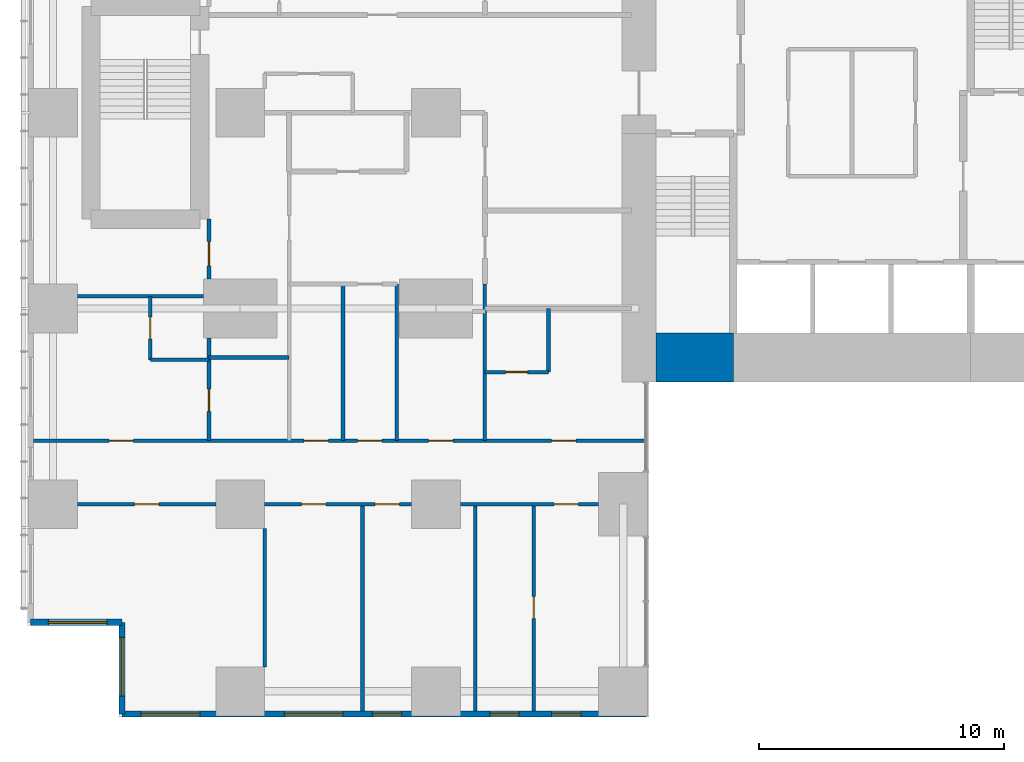
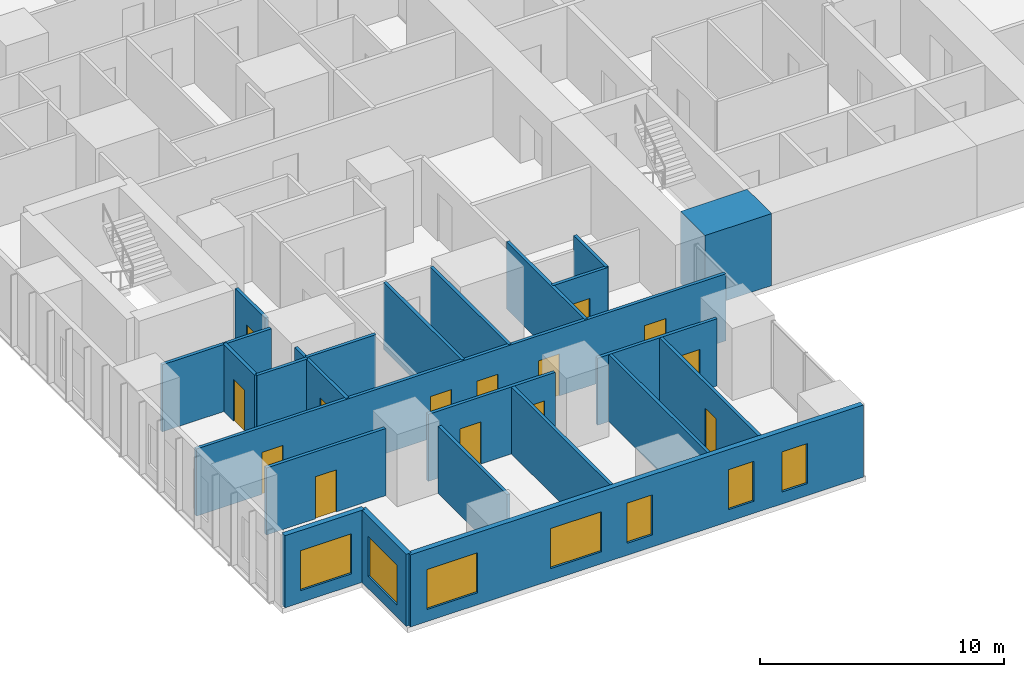
# One storey, part 12 of 20: 23 walls, 14 doors, 7 windows, 21 openings.
"""IFC4 building model written with IfcOpenShell, lengths in metres."""

import ifcopenshell
import ifcopenshell.guid

model = None  # the IFC model being written
_history = None  # IfcOwnerHistory: only IFC2X3 demands one
_inside = {}  # id of a spatial element -> (the spatial element, [elements in it])
_under = {}  # id of a project, library or spatial element -> (it, [spatial elements below it])
_declared = {}  # id of a project -> (the project, [libraries it declares])
_typed = {}  # id of a type object -> (the type object, [elements of that type])
_made_of = {}  # id of a material, layer set ... -> (it, [elements and type objects made of it])


def new_model(schema):
    """Start an empty IFC model of exactly this schema.

    Asked for "IFC4X3", IfcOpenShell would pick the latest addendum, in which some entities
    have other attributes; the version numbers below select the first issue.
    IFC2X3 requires an IfcOwnerHistory on every rooted entity: one is made here for all.
    """
    global model, _history
    if schema == "IFC4X3":
        model = ifcopenshell.file(schema_version=(4, 3, 0, 0))
    else:
        model = ifcopenshell.file(schema=schema)
    _inside.clear()
    _under.clear()
    _declared.clear()
    _typed.clear()
    _made_of.clear()
    _history = None
    if model.schema == "IFC2X3":
        org = make("IfcOrganization", Name="unknown")
        user = make(
            "IfcPersonAndOrganization",
            ThePerson=make("IfcPerson", FamilyName="unknown"),
            TheOrganization=org,
        )
        app = make(
            "IfcApplication",
            ApplicationDeveloper=org,
            Version="unknown",
            ApplicationFullName="unknown",
            ApplicationIdentifier="unknown",
        )
        _history = make(
            "IfcOwnerHistory",
            OwningUser=user,
            OwningApplication=app,
            ChangeAction="ADDED",
            CreationDate=0,
        )
    return model


def make(cls, **values):
    """One entity of the class cls with the attributes given. An attribute that is None is left unset."""
    return model.create_entity(
        cls, **{name: value for name, value in values.items() if value is not None}
    )


def rooted(cls, **values):
    """An entity with a GlobalId (a new one), such as an element, a storey or a relation."""
    return make(cls, GlobalId=ifcopenshell.guid.new(), OwnerHistory=_history, **values)


def si_unit(unit_type, name, prefix=None):
    """IfcSIUnit, for example si_unit("LENGTHUNIT", "METRE", prefix="MILLI")."""
    return make("IfcSIUnit", UnitType=unit_type, Prefix=prefix, Name=name)


def assignment(units):
    """IfcUnitAssignment: the units of a project."""
    return None if units is None else make("IfcUnitAssignment", Units=units)


def point(xyz):
    """IfcCartesianPoint."""
    return None if xyz is None else make("IfcCartesianPoint", Coordinates=xyz)


def direction(xyz):
    """IfcDirection."""
    return None if xyz is None else make("IfcDirection", DirectionRatios=xyz)


def frame(location, z_axis=None, x_axis=None):
    """IfcAxis2Placement3D, a coordinate frame: its origin and axes. An axis left out is left unset."""
    return make(
        "IfcAxis2Placement3D",
        Location=point(location),
        Axis=direction(z_axis),
        RefDirection=direction(x_axis),
    )


def frame_2d(location, x_axis=None):
    """IfcAxis2Placement2D, a coordinate frame in the plane: its origin and x axis."""
    return make(
        "IfcAxis2Placement2D", Location=point(location), RefDirection=direction(x_axis)
    )


def origin():
    """The frame at (0, 0, 0) with its axes left unset."""
    return frame((0.0, 0.0, 0.0))


def place(relative_to, where):
    """IfcLocalPlacement: puts the frame where relative to a parent placement (None: the world)."""
    return make(
        "IfcLocalPlacement", PlacementRelTo=relative_to, RelativePlacement=where
    )


def context(
    kind, dimensions, precision=None, world=None, true_north=None, identifier=None
):
    """IfcGeometricRepresentationContext, for example the 3D "Model" context."""
    return make(
        "IfcGeometricRepresentationContext",
        ContextIdentifier=identifier,
        ContextType=kind,
        CoordinateSpaceDimension=dimensions,
        Precision=precision,
        WorldCoordinateSystem=world,
        TrueNorth=true_north,
    )


def subcontext(parent, identifier, kind, view, scale=None):
    """IfcGeometricRepresentationSubContext, for example "Body" below "Model"."""
    return make(
        "IfcGeometricRepresentationSubContext",
        ContextIdentifier=identifier,
        ContextType=kind,
        ParentContext=parent,
        TargetScale=scale,
        TargetView=view,
    )


def project(units=None, contexts=None):
    """IfcProject with its units and contexts."""
    return rooted(
        "IfcProject",
        Name="project",
        RepresentationContexts=contexts,
        UnitsInContext=assignment(units),
    )


def spatial(cls, under=None, at=None, **own):
    """A site, building, storey or space (cls), placed at a placement, below another one or the project."""
    s = rooted(cls, ObjectPlacement=at, **own)
    if under is not None:
        _under.setdefault(under.id(), (under, []))[1].append(s)
    return s


def profile(cls, at=None, kind="AREA", **sizes):
    """A parametric profile (cls). Its sizes go by their IFC names, for example OverallWidth=200.0."""
    return make(cls, ProfileType=kind, Position=at, **sizes)


def rectangle(**sizes):
    """IfcRectangleProfileDef."""
    return profile("IfcRectangleProfileDef", **sizes)


def extrude(swept, where, along, depth):
    """IfcExtrudedAreaSolid: the profile swept, set in the frame where, extruded along a direction by depth."""
    return make(
        "IfcExtrudedAreaSolid",
        SweptArea=swept,
        Position=where,
        ExtrudedDirection=direction(along),
        Depth=depth,
    )


def shape(context_of_items, identifier, shape_type, items):
    """IfcShapeRepresentation: the items that make up one representation, for example the "Body"."""
    return make(
        "IfcShapeRepresentation",
        ContextOfItems=context_of_items,
        RepresentationIdentifier=identifier,
        RepresentationType=shape_type,
        Items=items,
    )


def material(Name=None, Category=None):
    """IfcMaterial."""
    return make("IfcMaterial", Name=Name, Category=Category)


def layer(
    of_material, thickness, ventilated=None, Name=None, Category=None, Priority=None
):
    """IfcMaterialLayer: one layer of a wall or slab, of a material (None: an air gap)."""
    return make(
        "IfcMaterialLayer",
        Material=of_material,
        LayerThickness=thickness,
        IsVentilated=ventilated,
        Name=Name,
        Category=Category,
        Priority=Priority,
    )


def layer_set(layers, Name=None):
    """IfcMaterialLayerSet."""
    return make("IfcMaterialLayerSet", MaterialLayers=layers, LayerSetName=Name)


def made_of(thing, what):
    """Note that an element or type object is made of a material, layer set ...; save() writes the relation."""
    if what is not None:
        _made_of.setdefault(what.id(), (what, []))[1].append(thing)
    return thing


def type_object(cls, material=None, **own):
    """A type object (cls), such as IfcWallType, which elements share."""
    return made_of(rooted(cls, **own), material)


def element(
    cls,
    number,
    at=None,
    inside=None,
    cuts=None,
    type_object=None,
    material=None,
    context=None,
    identifier="Body",
    shape_type=None,
    held_by="IfcProductDefinitionShape",
    body=None,
    shapes=None,
    **own,
):
    """One element of the class cls, such as IfcWall. Its Tag is "e" and its number.

    at: its placement. inside: the storey or other place that contains it. cuts: it is an
    opening in that element (IfcRelVoidsElement). A single representation is given by context,
    identifier, shape_type and body (its items); several are given by shapes. held_by: the class
    of the entity that holds the representations. save() writes the other relations.
    """
    e = rooted(cls, Tag="e%d" % number, ObjectPlacement=at, **own)
    if body is not None:
        shapes = [shape(context, identifier, shape_type, body)]
    if shapes is not None:
        e.Representation = make(held_by, Representations=shapes)
    if inside is not None:
        _inside.setdefault(inside.id(), (inside, []))[1].append(e)
    if cuts is not None:
        rooted(
            "IfcRelVoidsElement", RelatingBuildingElement=cuts, RelatedOpeningElement=e
        )
    if type_object is not None:
        _typed.setdefault(type_object.id(), (type_object, []))[1].append(e)
    return made_of(e, material)


def fill(opening, filler):
    """IfcRelFillsElement: the door or window that sits in an opening."""
    return rooted(
        "IfcRelFillsElement",
        RelatingOpeningElement=opening,
        RelatedBuildingElement=filler,
    )


def aggregate(whole, parts):
    """IfcRelAggregates: a whole, such as a stair, and the parts it consists of."""
    return rooted("IfcRelAggregates", RelatingObject=whole, RelatedObjects=parts)


def save(model, path):
    """Write the relations noted so far, then the file.

    IfcRelAggregates (storeys below a building ...), IfcRelContainedInSpatialStructure (elements
    in a storey), IfcRelDefinesByType, IfcRelAssociatesMaterial and IfcRelDeclares: one each for
    every whole, place, type object, material and project.
    """
    for whole, parts in _under.values():
        aggregate(whole, parts)
    for where, things in _inside.values():
        rooted(
            "IfcRelContainedInSpatialStructure",
            RelatedElements=things,
            RelatingStructure=where,
        )
    for kind, things in _typed.values():
        rooted("IfcRelDefinesByType", RelatedObjects=things, RelatingType=kind)
    for what, things in _made_of.values():
        rooted("IfcRelAssociatesMaterial", RelatedObjects=things, RelatingMaterial=what)
    for by, libraries in _declared.values():
        rooted("IfcRelDeclares", RelatingContext=by, RelatedDefinitions=libraries)
    model.write(path)


model = new_model("IFC4")

# Units and contexts
model_context = context("Model", 3, precision=1e-05, world=origin(), true_north=direction((0.0, 1.0)))
body_context = subcontext(model_context, "Body", "Model", "MODEL_VIEW")
ifc_project = project(units=[si_unit("LENGTHUNIT", "METRE"), si_unit("AREAUNIT", "SQUARE_METRE"), si_unit("VOLUMEUNIT", "CUBIC_METRE"), si_unit("PLANEANGLEUNIT", "RADIAN"), si_unit("MASSUNIT", "GRAM", prefix="KILO")], contexts=[model_context])

# Site, building, storey
site_placement = place(None, origin())
site = spatial("IfcSite", under=ifc_project, at=site_placement, CompositionType="ELEMENT")
building_placement = place(site_placement, origin())
building = spatial("IfcBuilding", under=site, at=building_placement, Name="Cleftline Residences", CompositionType="ELEMENT")
storey_placement = place(building_placement, frame((0.0, 0.0, 36.800048828125)))
storey = spatial("IfcBuildingStorey", under=building, at=storey_placement, Name="L08", CompositionType="ELEMENT", Elevation=36.800048828125)

# Wall
ifc_material_1 = material(Name="Concrete B70", Category="concrete")
ifc_layer_1 = layer(ifc_material_1, 2.0)
ifc_layer_set_1 = layer_set([ifc_layer_1], Name="CORE WALL 2000")
wall_type_1 = type_object("IfcWallType", Name="CORE WALL 2000", PredefinedType="SHEAR", material=ifc_layer_set_1)
wall_1_placement = place(storey_placement, frame((25.0, 14.0, 0.0), z_axis=(0.0, 0.0, 1.0), x_axis=(1.0, 0.0, 0.0)))
element("IfcWall", 1, at=wall_1_placement, inside=storey, type_object=wall_type_1, Name="Core wall S1", PredefinedType="SHEAR", context=body_context, shape_type="SweptSolid", body=[
    extrude(rectangle(XDim=3.14990234375, YDim=2.0, at=frame_2d((1.574951171875, 0.0))), origin(), (0.0, 0.0, 1.0), 3.599853515625),
])

# Wall, opening, window
ifc_material_2 = material(Name="Rendered reinforced concrete blockwork", Category="masonry")
ifc_layer_2 = layer(ifc_material_2, 0.25)
ifc_layer_set_2 = layer_set([ifc_layer_2], Name="EXTERNAL WALL 250")
wall_type_2 = type_object("IfcWallType", Name="EXTERNAL WALL 250", PredefinedType="SOLIDWALL", material=ifc_layer_set_2)
wall_2_placement = place(storey_placement, frame((-0.574951171875, 3.175048828125, 0.0), z_axis=(0.0, 0.0, 1.0), x_axis=(1.0, 0.0, 0.0)))
wall_2 = element("IfcWall", 2, at=wall_2_placement, inside=storey, type_object=wall_type_2, Name="External wall", PredefinedType="SOLIDWALL", context=body_context, shape_type="SweptSolid", body=[
    extrude(rectangle(XDim=3.75, YDim=0.25, at=frame_2d((1.875, 0.0))), origin(), (0.0, 0.0, 1.0), 3.599853515625),
])
opening_1_placement = place(wall_2_placement, frame((0.737548828125, 0.0, 0.60009765625)))
opening_1 = element("IfcOpeningElement", 3, at=opening_1_placement, cuts=wall_2, Name="Opening W6", PredefinedType="OPENING", context=body_context, shape_type="SweptSolid", body=[
    extrude(rectangle(XDim=2.39990234375, YDim=2.0, at=frame_2d((1.199951171875, 1.0))), frame((0.0, 0.135009765625, 0.0), z_axis=(0.0, -1.0, 0.0), x_axis=(1.0, 0.0, 0.0)), (0.0, 0.0, 1.0), 0.27001953125),
])
ifc_material_3 = material(Name="Aluminium frame, clear double glazing", Category="aluminium")
window_type_1 = type_object("IfcWindowType", Name="WINDOW 2400X2000", PartitioningType="DOUBLE_PANEL_VERTICAL", PredefinedType="WINDOW", material=ifc_material_3)
window_1_placement = place(opening_1_placement, origin())
window_1 = element("IfcWindow", 4, at=window_1_placement, inside=storey, type_object=window_type_1, Name="Window", OverallHeight=2.0, OverallWidth=2.39990234375, PartitioningType="SINGLE_PANEL", PredefinedType="WINDOW", context=body_context, shape_type="SweptSolid", body=[
    extrude(rectangle(XDim=2.39990234375, YDim=2.0, at=frame_2d((1.199951171875, 1.0))), frame((0.0, 0.030029296875, 0.0), z_axis=(0.0, -1.0, 0.0), x_axis=(1.0, 0.0, 0.0)), (0.0, 0.0, 1.0), 0.06005859375),
])
fill(opening_1, window_1)

wall_3_placement = place(storey_placement, frame((3.175048828125, 3.175048828125, 0.0), z_axis=(0.0, 0.0, 1.0), x_axis=(0.0, -1.0, 0.0)))
wall_3 = element("IfcWall", 5, at=wall_3_placement, inside=storey, type_object=wall_type_2, Name="External wall", PredefinedType="SOLIDWALL", context=body_context, shape_type="SweptSolid", body=[
    extrude(rectangle(XDim=3.75, YDim=0.25, at=frame_2d((1.875, 0.0))), origin(), (0.0, 0.0, 1.0), 3.599853515625),
])
opening_2_placement = place(wall_3_placement, frame((0.612548828125, 0.0, 0.60009765625)))
opening_2 = element("IfcOpeningElement", 6, at=opening_2_placement, cuts=wall_3, Name="Opening W6", PredefinedType="OPENING", context=body_context, shape_type="SweptSolid", body=[
    extrude(rectangle(XDim=2.39990234375, YDim=2.0, at=frame_2d((1.199951171875, 1.0))), frame((0.0, 0.135009765625, 0.0), z_axis=(0.0, -1.0, 0.0), x_axis=(1.0, 0.0, 0.0)), (0.0, 0.0, 1.0), 0.27001953125),
])
window_2_placement = place(opening_2_placement, origin())
window_2 = element("IfcWindow", 7, at=window_2_placement, inside=storey, type_object=window_type_1, Name="Window", OverallHeight=2.0, OverallWidth=2.39990234375, PartitioningType="SINGLE_PANEL", PredefinedType="WINDOW", context=body_context, shape_type="SweptSolid", body=[
    extrude(rectangle(XDim=2.39990234375, YDim=2.0, at=frame_2d((1.199951171875, 1.0))), frame((0.0, 0.030029296875, 0.0), z_axis=(0.0, -1.0, 0.0), x_axis=(1.0, 0.0, 0.0)), (0.0, 0.0, 1.0), 0.06005859375),
])
fill(opening_2, window_2)

# Wall, openings, windows
wall_4_placement = place(storey_placement, frame((3.175048828125, -0.574951171875, 0.0), z_axis=(0.0, 0.0, 1.0), x_axis=(1.0, 0.0, 0.0)))
wall_4 = element("IfcWall", 8, at=wall_4_placement, inside=storey, type_object=wall_type_2, Name="External wall", PredefinedType="SOLIDWALL", context=body_context, shape_type="SweptSolid", body=[
    extrude(rectangle(XDim=21.39990234375, YDim=0.25, at=frame_2d((10.699951171875, 0.0))), origin(), (0.0, 0.0, 1.0), 3.599853515625),
])
opening_3_placement = place(wall_4_placement, frame((0.77490234375, 0.0, 0.60009765625)))
opening_3 = element("IfcOpeningElement", 9, at=opening_3_placement, cuts=wall_4, Name="Opening W6", PredefinedType="OPENING", context=body_context, shape_type="SweptSolid", body=[
    extrude(rectangle(XDim=2.39990234375, YDim=2.0, at=frame_2d((1.199951171875, 1.0))), frame((0.0, 0.135009765625, 0.0), z_axis=(0.0, -1.0, 0.0), x_axis=(1.0, 0.0, 0.0)), (0.0, 0.0, 1.0), 0.27001953125),
])
opening_4_placement = place(wall_4_placement, frame((6.625, 0.0, 0.60009765625)))
opening_4 = element("IfcOpeningElement", 10, at=opening_4_placement, cuts=wall_4, Name="Opening W6", PredefinedType="OPENING", context=body_context, shape_type="SweptSolid", body=[
    extrude(rectangle(XDim=2.39990234375, YDim=2.0, at=frame_2d((1.199951171875, 1.0))), frame((0.0, 0.135009765625, 0.0), z_axis=(0.0, -1.0, 0.0), x_axis=(1.0, 0.0, 0.0)), (0.0, 0.0, 1.0), 0.27001953125),
])
opening_5_placement = place(wall_4_placement, frame((10.22509765625, 0.0, 0.60009765625)))
opening_5 = element("IfcOpeningElement", 11, at=opening_5_placement, cuts=wall_4, Name="Opening W8", PredefinedType="OPENING", context=body_context, shape_type="SweptSolid", body=[
    extrude(rectangle(XDim=1.199951171875, YDim=2.0, at=frame_2d((0.60009765625, 1.0))), frame((0.0, 0.135009765625, 0.0), z_axis=(0.0, -1.0, 0.0), x_axis=(1.0, 0.0, 0.0)), (0.0, 0.0, 1.0), 0.27001953125),
])
opening_6_placement = place(wall_4_placement, frame((15.02490234375, 0.0, 0.60009765625)))
opening_6 = element("IfcOpeningElement", 12, at=opening_6_placement, cuts=wall_4, Name="Opening W8", PredefinedType="OPENING", context=body_context, shape_type="SweptSolid", body=[
    extrude(rectangle(XDim=1.199951171875, YDim=2.0, at=frame_2d((0.60009765625, 1.0))), frame((0.0, 0.135009765625, 0.0), z_axis=(0.0, -1.0, 0.0), x_axis=(1.0, 0.0, 0.0)), (0.0, 0.0, 1.0), 0.27001953125),
])
opening_7_placement = place(wall_4_placement, frame((17.550048828125, 0.0, 0.60009765625)))
opening_7 = element("IfcOpeningElement", 13, at=opening_7_placement, cuts=wall_4, Name="Opening W8", PredefinedType="OPENING", context=body_context, shape_type="SweptSolid", body=[
    extrude(rectangle(XDim=1.199951171875, YDim=2.0, at=frame_2d((0.60009765625, 1.0))), frame((0.0, 0.135009765625, 0.0), z_axis=(0.0, -1.0, 0.0), x_axis=(1.0, 0.0, 0.0)), (0.0, 0.0, 1.0), 0.27001953125),
])
ifc_material_4 = material(Name="Aluminium frame, clear double glazing", Category="aluminium")
window_type_2 = type_object("IfcWindowType", Name="WINDOW 1200X2000", PartitioningType="DOUBLE_PANEL_VERTICAL", PredefinedType="WINDOW", material=ifc_material_4)
window_3_placement = place(opening_5_placement, origin())
window_3 = element("IfcWindow", 14, at=window_3_placement, inside=storey, type_object=window_type_2, Name="Window", OverallHeight=2.0, OverallWidth=1.199951171875, PartitioningType="SINGLE_PANEL", PredefinedType="WINDOW", context=body_context, shape_type="SweptSolid", body=[
    extrude(rectangle(XDim=1.199951171875, YDim=2.0, at=frame_2d((0.60009765625, 1.0))), frame((0.0, 0.030029296875, 0.0), z_axis=(0.0, -1.0, 0.0), x_axis=(1.0, 0.0, 0.0)), (0.0, 0.0, 1.0), 0.06005859375),
])
fill(opening_5, window_3)
window_4_placement = place(opening_6_placement, origin())
window_4 = element("IfcWindow", 15, at=window_4_placement, inside=storey, type_object=window_type_2, Name="Window", OverallHeight=2.0, OverallWidth=1.199951171875, PartitioningType="SINGLE_PANEL", PredefinedType="WINDOW", context=body_context, shape_type="SweptSolid", body=[
    extrude(rectangle(XDim=1.199951171875, YDim=2.0, at=frame_2d((0.60009765625, 1.0))), frame((0.0, 0.030029296875, 0.0), z_axis=(0.0, -1.0, 0.0), x_axis=(1.0, 0.0, 0.0)), (0.0, 0.0, 1.0), 0.06005859375),
])
fill(opening_6, window_4)
window_5_placement = place(opening_7_placement, origin())
window_5 = element("IfcWindow", 16, at=window_5_placement, inside=storey, type_object=window_type_2, Name="Window", OverallHeight=2.0, OverallWidth=1.199951171875, PartitioningType="SINGLE_PANEL", PredefinedType="WINDOW", context=body_context, shape_type="SweptSolid", body=[
    extrude(rectangle(XDim=1.199951171875, YDim=2.0, at=frame_2d((0.60009765625, 1.0))), frame((0.0, 0.030029296875, 0.0), z_axis=(0.0, -1.0, 0.0), x_axis=(1.0, 0.0, 0.0)), (0.0, 0.0, 1.0), 0.06005859375),
])
fill(opening_7, window_5)
window_6_placement = place(opening_3_placement, origin())
window_6 = element("IfcWindow", 17, at=window_6_placement, inside=storey, type_object=window_type_1, Name="Window", OverallHeight=2.0, OverallWidth=2.39990234375, PartitioningType="SINGLE_PANEL", PredefinedType="WINDOW", context=body_context, shape_type="SweptSolid", body=[
    extrude(rectangle(XDim=2.39990234375, YDim=2.0, at=frame_2d((1.199951171875, 1.0))), frame((0.0, 0.030029296875, 0.0), z_axis=(0.0, -1.0, 0.0), x_axis=(1.0, 0.0, 0.0)), (0.0, 0.0, 1.0), 0.06005859375),
])
fill(opening_3, window_6)
window_7_placement = place(opening_4_placement, origin())
window_7 = element("IfcWindow", 18, at=window_7_placement, inside=storey, type_object=window_type_1, Name="Window", OverallHeight=2.0, OverallWidth=2.39990234375, PartitioningType="SINGLE_PANEL", PredefinedType="WINDOW", context=body_context, shape_type="SweptSolid", body=[
    extrude(rectangle(XDim=2.39990234375, YDim=2.0, at=frame_2d((1.199951171875, 1.0))), frame((0.0, 0.030029296875, 0.0), z_axis=(0.0, -1.0, 0.0), x_axis=(1.0, 0.0, 0.0)), (0.0, 0.0, 1.0), 0.06005859375),
])
fill(opening_4, window_7)

# Wall, opening, door
ifc_material_5 = material(Name="Gypsum board on steel studs", Category="steel")
ifc_layer_3 = layer(ifc_material_5, 0.14990234375)
ifc_layer_set_3 = layer_set([ifc_layer_3], Name="PARTITION 150")
wall_type_3 = type_object("IfcWallType", Name="PARTITION 150", PredefinedType="PARTITIONING", material=ifc_layer_set_3)
wall_5_placement = place(storey_placement, frame((1.35009765625, 8.0, 0.0), z_axis=(0.0, 0.0, 1.0), x_axis=(1.0, 0.0, 0.0)))
wall_5 = element("IfcWall", 19, at=wall_5_placement, inside=storey, type_object=wall_type_3, Name="Partition", PredefinedType="PARTITIONING", context=body_context, shape_type="SweptSolid", body=[
    extrude(rectangle(XDim=5.64990234375, YDim=0.14990234375, at=frame_2d((2.824951171875, 0.0))), origin(), (0.0, 0.0, 1.0), 3.349853515625),
])
opening_8_placement = place(wall_5_placement, frame((2.324951171875, 0.0, 0.0)))
opening_8 = element("IfcOpeningElement", 20, at=opening_8_placement, cuts=wall_5, Name="Opening D2", PredefinedType="OPENING", context=body_context, shape_type="SweptSolid", body=[
    extrude(rectangle(XDim=1.0, YDim=2.10009765625, at=frame_2d((0.5, 1.050048828125))), frame((0.0, 0.0849609375, 0.0), z_axis=(0.0, -1.0, 0.0), x_axis=(1.0, 0.0, 0.0)), (0.0, 0.0, 1.0), 0.169921875),
])
ifc_material_6 = material(Name="Timber veneer on solid core", Category="wood")
door_type_1 = type_object("IfcDoorType", Name="DOOR 1000X2100", OperationType="SINGLE_SWING_LEFT", PredefinedType="DOOR", material=ifc_material_6)
door_1_placement = place(opening_8_placement, origin())
door_1 = element("IfcDoor", 21, at=door_1_placement, inside=storey, type_object=door_type_1, Name="Door to living room", OperationType="SINGLE_SWING_LEFT", OverallHeight=2.10009765625, OverallWidth=1.0, PredefinedType="DOOR", context=body_context, shape_type="SweptSolid", body=[
    extrude(rectangle(XDim=1.0, YDim=2.10009765625, at=frame_2d((0.5, 1.050048828125))), frame((0.0, 0.02490234375, 0.0), z_axis=(0.0, -1.0, 0.0), x_axis=(1.0, 0.0, 0.0)), (0.0, 0.0, 1.0), 0.050048828125),
])
fill(opening_8, door_1)

# Wall, openings, doors
wall_6_placement = place(storey_placement, frame((9.0, 8.0, 0.0), z_axis=(0.0, 0.0, 1.0), x_axis=(1.0, 0.0, 0.0)))
wall_6 = element("IfcWall", 22, at=wall_6_placement, inside=storey, type_object=wall_type_3, Name="Partition", PredefinedType="PARTITIONING", context=body_context, shape_type="SweptSolid", body=[
    extrude(rectangle(XDim=6.0, YDim=0.14990234375, at=frame_2d((3.0, 0.0))), origin(), (0.0, 0.0, 1.0), 3.349853515625),
])
opening_9_placement = place(wall_6_placement, frame((1.5, 0.0, 0.0)))
opening_9 = element("IfcOpeningElement", 23, at=opening_9_placement, cuts=wall_6, Name="Opening D2", PredefinedType="OPENING", context=body_context, shape_type="SweptSolid", body=[
    extrude(rectangle(XDim=1.0, YDim=2.10009765625, at=frame_2d((0.5, 1.050048828125))), frame((0.0, 0.0849609375, 0.0), z_axis=(0.0, -1.0, 0.0), x_axis=(1.0, 0.0, 0.0)), (0.0, 0.0, 1.0), 0.169921875),
])
opening_10_placement = place(wall_6_placement, frame((4.5, 0.0, 0.0)))
opening_10 = element("IfcOpeningElement", 24, at=opening_10_placement, cuts=wall_6, Name="Opening D2", PredefinedType="OPENING", context=body_context, shape_type="SweptSolid", body=[
    extrude(rectangle(XDim=1.0, YDim=2.10009765625, at=frame_2d((0.5, 1.050048828125))), frame((0.0, 0.0849609375, 0.0), z_axis=(0.0, -1.0, 0.0), x_axis=(1.0, 0.0, 0.0)), (0.0, 0.0, 1.0), 0.169921875),
])
door_2_placement = place(opening_9_placement, origin())
door_2 = element("IfcDoor", 25, at=door_2_placement, inside=storey, type_object=door_type_1, Name="Door to dining room", OperationType="SINGLE_SWING_RIGHT", OverallHeight=2.10009765625, OverallWidth=1.0, PredefinedType="DOOR", context=body_context, shape_type="SweptSolid", body=[
    extrude(rectangle(XDim=1.0, YDim=2.10009765625, at=frame_2d((0.5, 1.050048828125))), frame((0.0, 0.02490234375, 0.0), z_axis=(0.0, -1.0, 0.0), x_axis=(1.0, 0.0, 0.0)), (0.0, 0.0, 1.0), 0.050048828125),
])
fill(opening_9, door_2)
door_3_placement = place(opening_10_placement, origin())
door_3 = element("IfcDoor", 26, at=door_3_placement, inside=storey, type_object=door_type_1, Name="Door to show kitchen", OperationType="SINGLE_SWING_LEFT", OverallHeight=2.10009765625, OverallWidth=1.0, PredefinedType="DOOR", context=body_context, shape_type="SweptSolid", body=[
    extrude(rectangle(XDim=1.0, YDim=2.10009765625, at=frame_2d((0.5, 1.050048828125))), frame((0.0, 0.02490234375, 0.0), z_axis=(0.0, -1.0, 0.0), x_axis=(1.0, 0.0, 0.0)), (0.0, 0.0, 1.0), 0.050048828125),
])
fill(opening_10, door_3)

# Wall, opening, door
wall_7_placement = place(storey_placement, frame((17.0, 8.0, 0.0), z_axis=(0.0, 0.0, 1.0), x_axis=(1.0, 0.0, 0.0)))
wall_7 = element("IfcWall", 27, at=wall_7_placement, inside=storey, type_object=wall_type_3, Name="Partition", PredefinedType="PARTITIONING", context=body_context, shape_type="SweptSolid", body=[
    extrude(rectangle(XDim=5.64990234375, YDim=0.14990234375, at=frame_2d((2.824951171875, 0.0))), origin(), (0.0, 0.0, 1.0), 3.349853515625),
])
opening_11_placement = place(wall_7_placement, frame((3.824951171875, 0.0, 0.0)))
opening_11 = element("IfcOpeningElement", 28, at=opening_11_placement, cuts=wall_7, Name="Opening D2", PredefinedType="OPENING", context=body_context, shape_type="SweptSolid", body=[
    extrude(rectangle(XDim=1.0, YDim=2.10009765625, at=frame_2d((0.5, 1.050048828125))), frame((0.0, 0.0849609375, 0.0), z_axis=(0.0, -1.0, 0.0), x_axis=(1.0, 0.0, 0.0)), (0.0, 0.0, 1.0), 0.169921875),
])
door_4_placement = place(opening_11_placement, origin())
door_4 = element("IfcDoor", 29, at=door_4_placement, inside=storey, type_object=door_type_1, Name="Door to bedroom 2", OperationType="SINGLE_SWING_LEFT", OverallHeight=2.10009765625, OverallWidth=1.0, PredefinedType="DOOR", context=body_context, shape_type="SweptSolid", body=[
    extrude(rectangle(XDim=1.0, YDim=2.10009765625, at=frame_2d((0.5, 1.050048828125))), frame((0.0, 0.02490234375, 0.0), z_axis=(0.0, -1.0, 0.0), x_axis=(1.0, 0.0, 0.0)), (0.0, 0.0, 1.0), 0.050048828125),
])
fill(opening_11, door_4)

# Wall, openings, doors
wall_8_placement = place(storey_placement, frame((-0.449951171875, 10.60009765625, 0.0), z_axis=(0.0, 0.0, 1.0), x_axis=(1.0, 0.0, 0.0)))
wall_8 = element("IfcWall", 30, at=wall_8_placement, inside=storey, type_object=wall_type_3, Name="Partition", PredefinedType="PARTITIONING", context=body_context, shape_type="SweptSolid", body=[
    extrude(rectangle(XDim=25.010986328125, YDim=0.14990234375, at=frame_2d((12.50537109375, 0.0))), origin(), (0.0, 0.0, 1.0), 3.349853515625),
])
opening_12_placement = place(wall_8_placement, frame((13.25, 0.0, 0.0)))
opening_12 = element("IfcOpeningElement", 31, at=opening_12_placement, cuts=wall_8, Name="Opening D2", PredefinedType="OPENING", context=body_context, shape_type="SweptSolid", body=[
    extrude(rectangle(XDim=1.0, YDim=2.10009765625, at=frame_2d((0.5, 1.050048828125))), frame((0.0, 0.0849609375, 0.0), z_axis=(0.0, -1.0, 0.0), x_axis=(1.0, 0.0, 0.0)), (0.0, 0.0, 1.0), 0.169921875),
])
opening_13_placement = place(wall_8_placement, frame((3.08740234375, 0.0, 0.0)))
opening_13 = element("IfcOpeningElement", 32, at=opening_13_placement, cuts=wall_8, Name="Opening D2", PredefinedType="OPENING", context=body_context, shape_type="SweptSolid", body=[
    extrude(rectangle(XDim=1.0, YDim=2.10009765625, at=frame_2d((0.5, 1.050048828125))), frame((0.0, 0.0849609375, 0.0), z_axis=(0.0, -1.0, 0.0), x_axis=(1.0, 0.0, 0.0)), (0.0, 0.0, 1.0), 0.169921875),
])
opening_14_placement = place(wall_8_placement, frame((11.050048828125, 0.0, 0.0)))
opening_14 = element("IfcOpeningElement", 33, at=opening_14_placement, cuts=wall_8, Name="Opening D2", PredefinedType="OPENING", context=body_context, shape_type="SweptSolid", body=[
    extrude(rectangle(XDim=1.0, YDim=2.10009765625, at=frame_2d((0.5, 1.050048828125))), frame((0.0, 0.0849609375, 0.0), z_axis=(0.0, -1.0, 0.0), x_axis=(1.0, 0.0, 0.0)), (0.0, 0.0, 1.0), 0.169921875),
])
opening_15_placement = place(wall_8_placement, frame((16.14990234375, 0.0, 0.0)))
opening_15 = element("IfcOpeningElement", 34, at=opening_15_placement, cuts=wall_8, Name="Opening D2", PredefinedType="OPENING", context=body_context, shape_type="SweptSolid", body=[
    extrude(rectangle(XDim=1.0, YDim=2.10009765625, at=frame_2d((0.5, 1.050048828125))), frame((0.0, 0.0849609375, 0.0), z_axis=(0.0, -1.0, 0.0), x_axis=(1.0, 0.0, 0.0)), (0.0, 0.0, 1.0), 0.169921875),
])
opening_16_placement = place(wall_8_placement, frame((21.175048828125, 0.0, 0.0)))
opening_16 = element("IfcOpeningElement", 35, at=opening_16_placement, cuts=wall_8, Name="Opening D2", PredefinedType="OPENING", context=body_context, shape_type="SweptSolid", body=[
    extrude(rectangle(XDim=1.0, YDim=2.10009765625, at=frame_2d((0.5, 1.050048828125))), frame((0.0, 0.0849609375, 0.0), z_axis=(0.0, -1.0, 0.0), x_axis=(1.0, 0.0, 0.0)), (0.0, 0.0, 1.0), 0.169921875),
])
door_5_placement = place(opening_12_placement, origin())
door_5 = element("IfcDoor", 36, at=door_5_placement, inside=storey, type_object=door_type_1, Name="Door to residence hall", OperationType="SINGLE_SWING_LEFT", OverallHeight=2.10009765625, OverallWidth=1.0, PredefinedType="DOOR", context=body_context, shape_type="SweptSolid", body=[
    extrude(rectangle(XDim=1.0, YDim=2.10009765625, at=frame_2d((0.5, 1.050048828125))), frame((0.0, 0.02490234375, 0.0), z_axis=(0.0, -1.0, 0.0), x_axis=(1.0, 0.0, 0.0)), (0.0, 0.0, 1.0), 0.050048828125),
])
fill(opening_12, door_5)
door_6_placement = place(opening_13_placement, origin())
door_6 = element("IfcDoor", 37, at=door_6_placement, inside=storey, type_object=door_type_1, Name="Door to master bedroom", OperationType="SINGLE_SWING_RIGHT", OverallHeight=2.10009765625, OverallWidth=1.0, PredefinedType="DOOR", context=body_context, shape_type="SweptSolid", body=[
    extrude(rectangle(XDim=1.0, YDim=2.10009765625, at=frame_2d((0.5, 1.050048828125))), frame((0.0, 0.02490234375, 0.0), z_axis=(0.0, -1.0, 0.0), x_axis=(1.0, 0.0, 0.0)), (0.0, 0.0, 1.0), 0.050048828125),
])
fill(opening_13, door_6)
door_7_placement = place(opening_14_placement, origin())
door_7 = element("IfcDoor", 38, at=door_7_placement, inside=storey, type_object=door_type_1, Name="Door to wet kitchen", OperationType="SINGLE_SWING_RIGHT", OverallHeight=2.10009765625, OverallWidth=1.0, PredefinedType="DOOR", context=body_context, shape_type="SweptSolid", body=[
    extrude(rectangle(XDim=1.0, YDim=2.10009765625, at=frame_2d((0.5, 1.050048828125))), frame((0.0, 0.02490234375, 0.0), z_axis=(0.0, -1.0, 0.0), x_axis=(1.0, 0.0, 0.0)), (0.0, 0.0, 1.0), 0.050048828125),
])
fill(opening_14, door_7)
door_8_placement = place(opening_15_placement, origin())
door_8 = element("IfcDoor", 39, at=door_8_placement, inside=storey, type_object=door_type_1, Name="Door to family room", OperationType="SINGLE_SWING_LEFT", OverallHeight=2.10009765625, OverallWidth=1.0, PredefinedType="DOOR", context=body_context, shape_type="SweptSolid", body=[
    extrude(rectangle(XDim=1.0, YDim=2.10009765625, at=frame_2d((0.5, 1.050048828125))), frame((0.0, 0.02490234375, 0.0), z_axis=(0.0, -1.0, 0.0), x_axis=(1.0, 0.0, 0.0)), (0.0, 0.0, 1.0), 0.050048828125),
])
fill(opening_15, door_8)
door_9_placement = place(opening_16_placement, origin())
door_9 = element("IfcDoor", 40, at=door_9_placement, inside=storey, type_object=door_type_1, Name="Door to bedroom 3", OperationType="SINGLE_SWING_LEFT", OverallHeight=2.10009765625, OverallWidth=1.0, PredefinedType="DOOR", context=body_context, shape_type="SweptSolid", body=[
    extrude(rectangle(XDim=1.0, YDim=2.10009765625, at=frame_2d((0.5, 1.050048828125))), frame((0.0, 0.02490234375, 0.0), z_axis=(0.0, -1.0, 0.0), x_axis=(1.0, 0.0, 0.0)), (0.0, 0.0, 1.0), 0.050048828125),
])
fill(opening_16, door_9)

# Wall, opening, door
wall_9_placement = place(storey_placement, frame((18.0, 13.39990234375, 0.0), z_axis=(0.0, 0.0, 1.0), x_axis=(1.0, 0.0, 0.0)))
wall_9 = element("IfcWall", 41, at=wall_9_placement, inside=storey, type_object=wall_type_3, Name="Partition", PredefinedType="PARTITIONING", context=body_context, shape_type="SweptSolid", body=[
    extrude(rectangle(XDim=2.60009765625, YDim=0.14990234375, at=frame_2d((1.300048828125, 0.0))), origin(), (0.0, 0.0, 1.0), 3.349853515625),
])
opening_17_placement = place(wall_9_placement, frame((0.85009765625, 0.0, 0.0)))
opening_17 = element("IfcOpeningElement", 42, at=opening_17_placement, cuts=wall_9, Name="Opening D1", PredefinedType="OPENING", context=body_context, shape_type="SweptSolid", body=[
    extrude(rectangle(XDim=0.89990234375, YDim=2.10009765625, at=frame_2d((0.449951171875, 1.050048828125))), frame((0.0, 0.0849609375, 0.0), z_axis=(0.0, -1.0, 0.0), x_axis=(1.0, 0.0, 0.0)), (0.0, 0.0, 1.0), 0.169921875),
])
ifc_material_7 = material(Name="Timber veneer on solid core", Category="wood")
door_type_2 = type_object("IfcDoorType", Name="DOOR 900X2100", OperationType="SINGLE_SWING_LEFT", PredefinedType="DOOR", material=ifc_material_7)
door_10_placement = place(opening_17_placement, origin())
door_10 = element("IfcDoor", 43, at=door_10_placement, inside=storey, type_object=door_type_2, Name="Door to en-suite bathroom 3", OperationType="SINGLE_SWING_LEFT", OverallHeight=2.10009765625, OverallWidth=0.89990234375, PredefinedType="DOOR", context=body_context, shape_type="SweptSolid", body=[
    extrude(rectangle(XDim=0.89990234375, YDim=2.10009765625, at=frame_2d((0.449951171875, 1.050048828125))), frame((0.0, 0.02490234375, 0.0), z_axis=(0.0, -1.0, 0.0), x_axis=(1.0, 0.0, 0.0)), (0.0, 0.0, 1.0), 0.050048828125),
])
fill(opening_17, door_10)

# Walls
wall_10_placement = place(storey_placement, frame((4.324951171875, 13.89990234375, 0.0), z_axis=(0.0, 0.0, 1.0), x_axis=(1.0, 0.0, 0.0)))
element("IfcWall", 44, at=wall_10_placement, inside=storey, type_object=wall_type_3, Name="Partition", PredefinedType="PARTITIONING", context=body_context, shape_type="SweptSolid", body=[
    extrude(rectangle(XDim=2.400146484375, YDim=0.14990234375, at=frame_2d((1.2001953125, 0.0))), origin(), (0.0, 0.0, 1.0), 3.349853515625),
])
wall_11_placement = place(storey_placement, frame((6.72509765625, 14.0, 0.0), z_axis=(0.0, 0.0, 1.0), x_axis=(1.0, 0.0, 0.0)))
element("IfcWall", 45, at=wall_11_placement, inside=storey, type_object=wall_type_3, Name="Partition", PredefinedType="PARTITIONING", context=body_context, shape_type="SweptSolid", body=[
    extrude(rectangle(XDim=3.27490234375, YDim=0.14990234375, at=frame_2d((1.637451171875, 0.0))), origin(), (0.0, 0.0, 1.0), 3.349853515625),
])
wall_12_placement = place(storey_placement, frame((1.35009765625, 16.5, 0.0), z_axis=(0.0, 0.0, 1.0), x_axis=(1.0, 0.0, 0.0)))
element("IfcWall", 46, at=wall_12_placement, inside=storey, type_object=wall_type_3, Name="Partition", PredefinedType="PARTITIONING", context=body_context, shape_type="SweptSolid", body=[
    extrude(rectangle(XDim=5.14990234375, YDim=0.14990234375, at=frame_2d((2.574951171875, 0.0))), origin(), (0.0, 0.0, 1.0), 3.349853515625),
])

# Wall, opening, door
wall_13_placement = place(storey_placement, frame((4.324951171875, 13.89990234375, 0.0), z_axis=(0.0, 0.0, 1.0), x_axis=(0.0, 1.0, 0.0)))
wall_13 = element("IfcWall", 47, at=wall_13_placement, inside=storey, type_object=wall_type_3, Name="Partition", PredefinedType="PARTITIONING", context=body_context, shape_type="SweptSolid", body=[
    extrude(rectangle(XDim=2.60009765625, YDim=0.14990234375, at=frame_2d((1.300048828125, 0.0))), origin(), (0.0, 0.0, 1.0), 3.349853515625),
])
opening_18_placement = place(wall_13_placement, frame((0.85009765625, 0.0, 0.0)))
opening_18 = element("IfcOpeningElement", 48, at=opening_18_placement, cuts=wall_13, Name="Opening D1", PredefinedType="OPENING", context=body_context, shape_type="SweptSolid", body=[
    extrude(rectangle(XDim=0.89990234375, YDim=2.10009765625, at=frame_2d((0.449951171875, 1.050048828125))), frame((0.0, 0.0849609375, 0.0), z_axis=(0.0, -1.0, 0.0), x_axis=(1.0, 0.0, 0.0)), (0.0, 0.0, 1.0), 0.169921875),
])
door_11_placement = place(opening_18_placement, origin())
door_11 = element("IfcDoor", 49, at=door_11_placement, inside=storey, type_object=door_type_2, Name="Door to master bathroom", OperationType="SINGLE_SWING_LEFT", OverallHeight=2.10009765625, OverallWidth=0.89990234375, PredefinedType="DOOR", context=body_context, shape_type="SweptSolid", body=[
    extrude(rectangle(XDim=0.89990234375, YDim=2.10009765625, at=frame_2d((0.449951171875, 1.050048828125))), frame((0.0, 0.02490234375, 0.0), z_axis=(0.0, -1.0, 0.0), x_axis=(1.0, 0.0, 0.0)), (0.0, 0.0, 1.0), 0.050048828125),
])
fill(opening_18, door_11)

wall_14_placement = place(storey_placement, frame((6.72509765625, 10.60009765625, 0.0), z_axis=(0.0, 0.0, 1.0), x_axis=(0.0, 1.0, 0.0)))
wall_14 = element("IfcWall", 50, at=wall_14_placement, inside=storey, type_object=wall_type_3, Name="Partition", PredefinedType="PARTITIONING", context=body_context, shape_type="SweptSolid", body=[
    extrude(rectangle(XDim=4.199951171875, YDim=0.14990234375, at=frame_2d((2.10009765625, 0.0))), origin(), (0.0, 0.0, 1.0), 3.349853515625),
])
opening_19_placement = place(wall_14_placement, frame((1.199951171875, 0.0, 0.0)))
opening_19 = element("IfcOpeningElement", 51, at=opening_19_placement, cuts=wall_14, Name="Opening D1", PredefinedType="OPENING", context=body_context, shape_type="SweptSolid", body=[
    extrude(rectangle(XDim=0.89990234375, YDim=2.10009765625, at=frame_2d((0.449951171875, 1.050048828125))), frame((0.0, 0.0849609375, 0.0), z_axis=(0.0, -1.0, 0.0), x_axis=(1.0, 0.0, 0.0)), (0.0, 0.0, 1.0), 0.169921875),
])
door_12_placement = place(opening_19_placement, origin())
door_12 = element("IfcDoor", 52, at=door_12_placement, inside=storey, type_object=door_type_2, Name="Door to master dressing room", OperationType="SINGLE_SWING_RIGHT", OverallHeight=2.10009765625, OverallWidth=0.89990234375, PredefinedType="DOOR", context=body_context, shape_type="SweptSolid", body=[
    extrude(rectangle(XDim=0.89990234375, YDim=2.10009765625, at=frame_2d((0.449951171875, 1.050048828125))), frame((0.0, 0.02490234375, 0.0), z_axis=(0.0, -1.0, 0.0), x_axis=(1.0, 0.0, 0.0)), (0.0, 0.0, 1.0), 0.050048828125),
])
fill(opening_19, door_12)

wall_15_placement = place(storey_placement, frame((6.72509765625, 17.199951171875, 0.0), z_axis=(0.0, 0.0, 1.0), x_axis=(0.0, 1.0, 0.0)))
wall_15 = element("IfcWall", 53, at=wall_15_placement, inside=storey, type_object=wall_type_3, Name="Partition", PredefinedType="PARTITIONING", context=body_context, shape_type="SweptSolid", body=[
    extrude(rectangle(XDim=2.449951171875, YDim=0.14990234375, at=frame_2d((1.22509765625, 0.0))), origin(), (0.0, 0.0, 1.0), 3.349853515625),
])
opening_20_placement = place(wall_15_placement, frame((0.53759765625, 0.0, 0.0)))
opening_20 = element("IfcOpeningElement", 54, at=opening_20_placement, cuts=wall_15, Name="Opening D2", PredefinedType="OPENING", context=body_context, shape_type="SweptSolid", body=[
    extrude(rectangle(XDim=1.0, YDim=2.10009765625, at=frame_2d((0.5, 1.050048828125))), frame((0.0, 0.0849609375, 0.0), z_axis=(0.0, -1.0, 0.0), x_axis=(1.0, 0.0, 0.0)), (0.0, 0.0, 1.0), 0.169921875),
])
door_13_placement = place(opening_20_placement, origin())
door_13 = element("IfcDoor", 55, at=door_13_placement, inside=storey, type_object=door_type_1, Name="Door to winter garden", OperationType="SINGLE_SWING_RIGHT", OverallHeight=2.10009765625, OverallWidth=1.0, PredefinedType="DOOR", context=body_context, shape_type="SweptSolid", body=[
    extrude(rectangle(XDim=1.0, YDim=2.10009765625, at=frame_2d((0.5, 1.050048828125))), frame((0.0, 0.02490234375, 0.0), z_axis=(0.0, -1.0, 0.0), x_axis=(1.0, 0.0, 0.0)), (0.0, 0.0, 1.0), 0.050048828125),
])
fill(opening_20, door_13)

# Walls
wall_16_placement = place(storey_placement, frame((9.0, 1.35009765625, 0.0), z_axis=(0.0, 0.0, 1.0), x_axis=(0.0, 1.0, 0.0)))
element("IfcWall", 56, at=wall_16_placement, inside=storey, type_object=wall_type_3, Name="Partition", PredefinedType="PARTITIONING", context=body_context, shape_type="SweptSolid", body=[
    extrude(rectangle(XDim=5.64990234375, YDim=0.14990234375, at=frame_2d((2.824951171875, 0.0))), origin(), (0.0, 0.0, 1.0), 3.349853515625),
])
wall_17_placement = place(storey_placement, frame((12.199951171875, 10.60009765625, 0.0), z_axis=(0.0, 0.0, 1.0), x_axis=(0.0, 1.0, 0.0)))
element("IfcWall", 57, at=wall_17_placement, inside=storey, type_object=wall_type_3, Name="Partition", PredefinedType="PARTITIONING", context=body_context, shape_type="SweptSolid", body=[
    extrude(rectangle(XDim=6.39990234375, YDim=0.14990234375, at=frame_2d((3.199951171875, 0.0))), origin(), (0.0, 0.0, 1.0), 3.349853515625),
])
wall_18_placement = place(storey_placement, frame((13.0, -0.449951171875, 0.0), z_axis=(0.0, 0.0, 1.0), x_axis=(0.0, 1.0, 0.0)))
element("IfcWall", 58, at=wall_18_placement, inside=storey, type_object=wall_type_3, Name="Partition", PredefinedType="PARTITIONING", context=body_context, shape_type="SweptSolid", body=[
    extrude(rectangle(XDim=8.449951171875, YDim=0.14990234375, at=frame_2d((4.22509765625, 0.0))), origin(), (0.0, 0.0, 1.0), 3.349853515625),
])
wall_19_placement = place(storey_placement, frame((14.39990234375, 10.60009765625, 0.0), z_axis=(0.0, 0.0, 1.0), x_axis=(0.0, 1.0, 0.0)))
element("IfcWall", 59, at=wall_19_placement, inside=storey, type_object=wall_type_3, Name="Partition", PredefinedType="PARTITIONING", context=body_context, shape_type="SweptSolid", body=[
    extrude(rectangle(XDim=6.39990234375, YDim=0.14990234375, at=frame_2d((3.199951171875, 0.0))), origin(), (0.0, 0.0, 1.0), 3.349853515625),
])
wall_20_placement = place(storey_placement, frame((17.60009765625, -0.449951171875, 0.0), z_axis=(0.0, 0.0, 1.0), x_axis=(0.0, 1.0, 0.0)))
element("IfcWall", 60, at=wall_20_placement, inside=storey, type_object=wall_type_3, Name="Partition", PredefinedType="PARTITIONING", context=body_context, shape_type="SweptSolid", body=[
    extrude(rectangle(XDim=8.449951171875, YDim=0.14990234375, at=frame_2d((4.22509765625, 0.0))), origin(), (0.0, 0.0, 1.0), 3.349853515625),
])
wall_21_placement = place(storey_placement, frame((18.0, 10.60009765625, 0.0), z_axis=(0.0, 0.0, 1.0), x_axis=(0.0, 1.0, 0.0)))
element("IfcWall", 61, at=wall_21_placement, inside=storey, type_object=wall_type_3, Name="Partition", PredefinedType="PARTITIONING", context=body_context, shape_type="SweptSolid", body=[
    extrude(rectangle(XDim=6.39990234375, YDim=0.14990234375, at=frame_2d((3.199951171875, 0.0))), origin(), (0.0, 0.0, 1.0), 3.349853515625),
])

# Wall, opening, door
wall_22_placement = place(storey_placement, frame((20.0, -0.449951171875, 0.0), z_axis=(0.0, 0.0, 1.0), x_axis=(0.0, 1.0, 0.0)))
wall_22 = element("IfcWall", 62, at=wall_22_placement, inside=storey, type_object=wall_type_3, Name="Partition", PredefinedType="PARTITIONING", context=body_context, shape_type="SweptSolid", body=[
    extrude(rectangle(XDim=8.449951171875, YDim=0.14990234375, at=frame_2d((4.22509765625, 0.0))), origin(), (0.0, 0.0, 1.0), 3.349853515625),
])
opening_21_placement = place(wall_22_placement, frame((3.77490234375, 0.0, 0.0)))
opening_21 = element("IfcOpeningElement", 63, at=opening_21_placement, cuts=wall_22, Name="Opening D1", PredefinedType="OPENING", context=body_context, shape_type="SweptSolid", body=[
    extrude(rectangle(XDim=0.89990234375, YDim=2.10009765625, at=frame_2d((0.449951171875, 1.050048828125))), frame((0.0, 0.0849609375, 0.0), z_axis=(0.0, -1.0, 0.0), x_axis=(1.0, 0.0, 0.0)), (0.0, 0.0, 1.0), 0.169921875),
])
door_14_placement = place(opening_21_placement, origin())
door_14 = element("IfcDoor", 64, at=door_14_placement, inside=storey, type_object=door_type_2, Name="Door to en-suite bathroom 2", OperationType="SINGLE_SWING_LEFT", OverallHeight=2.10009765625, OverallWidth=0.89990234375, PredefinedType="DOOR", context=body_context, shape_type="SweptSolid", body=[
    extrude(rectangle(XDim=0.89990234375, YDim=2.10009765625, at=frame_2d((0.449951171875, 1.050048828125))), frame((0.0, 0.02490234375, 0.0), z_axis=(0.0, -1.0, 0.0), x_axis=(1.0, 0.0, 0.0)), (0.0, 0.0, 1.0), 0.050048828125),
])
fill(opening_21, door_14)

# Wall
wall_23_placement = place(storey_placement, frame((20.60009765625, 13.39990234375, 0.0), z_axis=(0.0, 0.0, 1.0), x_axis=(0.0, 1.0, 0.0)))
element("IfcWall", 65, at=wall_23_placement, inside=storey, type_object=wall_type_3, Name="Partition", PredefinedType="PARTITIONING", context=body_context, shape_type="SweptSolid", body=[
    extrude(rectangle(XDim=2.60009765625, YDim=0.14990234375, at=frame_2d((1.300048828125, 0.0))), origin(), (0.0, 0.0, 1.0), 3.349853515625),
])

save(model, "model.ifc")
